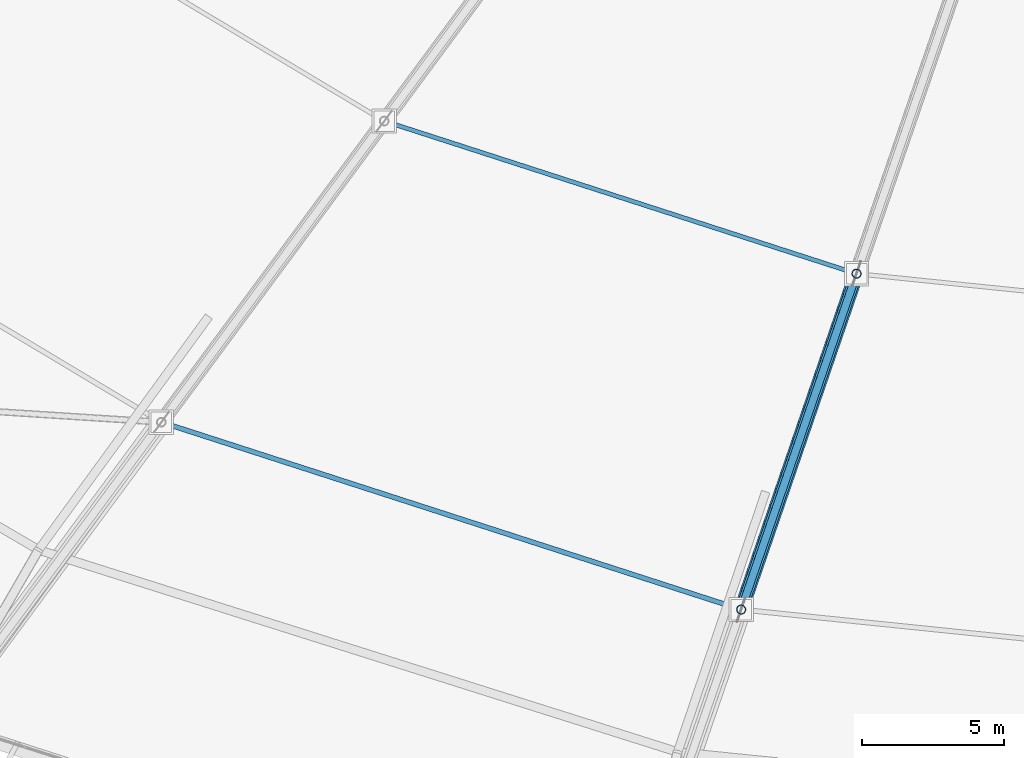
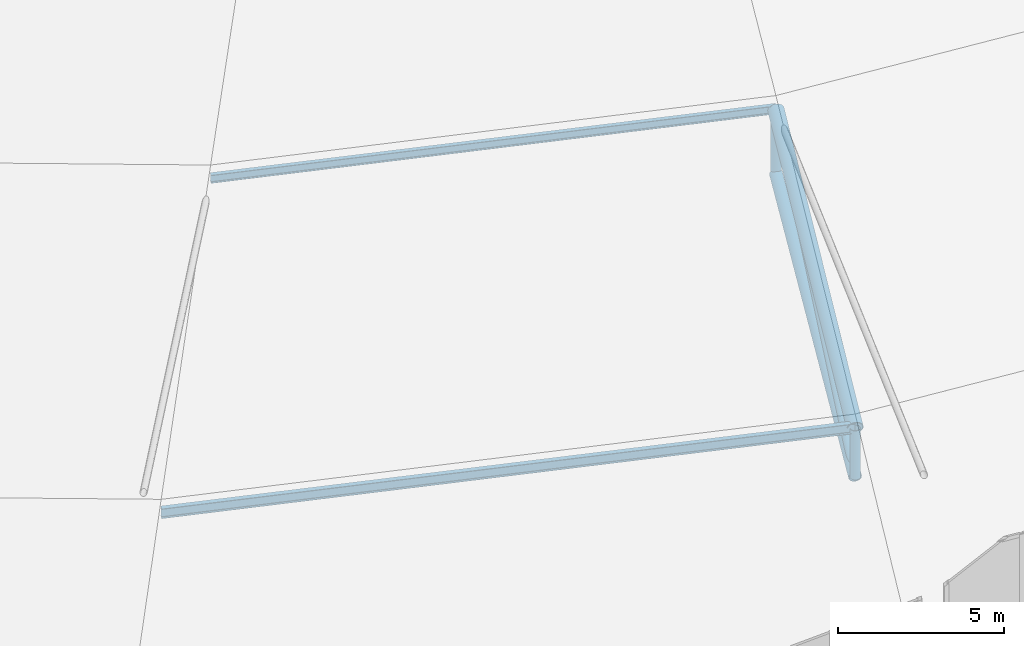
# One storey, part 15 of 115: 7 members.
"""IFC4 building model written with IfcOpenShell, lengths in metres."""

from ifc_helpers import new_model, si_unit, direction, frame, origin, origin_2d, place, context, subcontext, project, spatial, hollow_circle, i_section, extrude, material, material_profile, profile_set, type_object, element, save


model = new_model("IFC4")

# Units and contexts
model_context = context("Model", 3, precision=1e-05, world=origin(), true_north=direction((0.0, 1.0)))
body_context = subcontext(model_context, "Body", "Model", "MODEL_VIEW")
ifc_project = project(units=[si_unit("LENGTHUNIT", "METRE"), si_unit("AREAUNIT", "SQUARE_METRE"), si_unit("VOLUMEUNIT", "CUBIC_METRE"), si_unit("PLANEANGLEUNIT", "RADIAN"), si_unit("MASSUNIT", "GRAM", prefix="KILO")], contexts=[model_context])

# Site, building, storey
site_placement = place(None, origin())
site = spatial("IfcSite", under=ifc_project, at=site_placement, CompositionType="ELEMENT")
building_placement = place(site_placement, origin())
building = spatial("IfcBuilding", under=site, at=building_placement, Name="Zlatoyarsky Gate Stadium", CompositionType="ELEMENT")
storey_placement = place(building_placement, frame((0.0, 0.0, 31.800048828125)))
storey = spatial("IfcBuildingStorey", under=building, at=storey_placement, Name="RF", CompositionType="ELEMENT", Elevation=31.800048828125)

# Members
ifc_material = material(Name="Steel S355", Category="steel")
ifc_material_profile_1 = material_profile(ifc_material, hollow_circle(Radius=0.203125, WallThickness=0.02001953125, at=origin_2d()), Name="CHS 406.4X20")
ifc_profile_set_1 = profile_set([ifc_material_profile_1], Name="Steel S355")
member_type_1 = type_object("IfcMemberType", Name="STEEL ARCH INNER CHORD CHS 406.4X20", PredefinedType="CHORD", material=ifc_profile_set_1)
member_1_placement = place(storey_placement, frame((89.159912109375, 16.418701171875, 1.349853515625), z_axis=(0.318018478385, 0.925829737225, 0.204214458535), x_axis=(-0.945760529687, 0.324864618704, 0.0)))
element("IfcMember", 1, at=member_1_placement, inside=storey, type_object=member_type_1, Name="Radial truss R18 bottom chord 2", PredefinedType="CHORD", context=body_context, shape_type="SweptSolid", body=[
    extrude(hollow_circle(Radius=0.203125, WallThickness=0.02001953125, at=origin_2d()), origin(), (0.0, 0.0, 1.0), 12.732177734375),
])
ifc_material_profile_2 = material_profile(ifc_material, hollow_circle(Radius=0.25390625, WallThickness=0.02490234375, at=origin_2d()), Name="CHS 508X25")
ifc_profile_set_2 = profile_set([ifc_material_profile_2], Name="Steel S355")
member_type_2 = type_object("IfcMemberType", Name="STEEL ARCH TOP CHORD CHS 508X25", PredefinedType="CHORD", material=ifc_profile_set_2)
member_2_placement = place(storey_placement, frame((89.159912109375, 16.418701171875, 3.14990234375), z_axis=(0.314960710507, 0.916927825469, 0.245036963984), x_axis=(-0.945760529687, 0.324864618704, 0.0)))
element("IfcMember", 2, at=member_2_placement, inside=storey, type_object=member_type_2, Name="Radial truss R18 top chord 2", PredefinedType="CHORD", context=body_context, shape_type="SweptSolid", body=[
    extrude(hollow_circle(Radius=0.25390625, WallThickness=0.02490234375, at=origin_2d()), origin(), (0.0, 0.0, 1.0), 12.855712890625),
])
ifc_material_profile_3 = material_profile(ifc_material, i_section(OverallWidth=0.14990234375, OverallDepth=0.300048828125, WebThickness=0.007080078125, FlangeThickness=0.0107421875, FilletRadius=0.014892578125, at=origin_2d()), Name="IPE 300")
ifc_profile_set_3 = profile_set([ifc_material_profile_3], Name="Steel S355")
member_type_3 = type_object("IfcMemberType", Name="STEEL BOWL ROOF PURLIN IPE 300", PredefinedType="PURLIN", material=ifc_profile_set_3)
member_3_placement = place(storey_placement, frame((76.630615234375, 33.563232421875, 6.329833984375), z_axis=(0.951560451481, -0.307461716603, 0.0), x_axis=(0.307461716603, 0.951560451481, 0.0)))
element("IfcMember", 3, at=member_3_placement, inside=storey, type_object=member_type_3, Name="Stadium roof purlin 16.2", PredefinedType="PURLIN", context=body_context, shape_type="SweptSolid", body=[
    extrude(i_section(OverallWidth=0.14990234375, OverallDepth=0.300048828125, WebThickness=0.007080078125, FlangeThickness=0.0107421875, FilletRadius=0.014892578125, at=origin_2d()), origin(), (0.0, 0.0, 1.0), 17.42236328125),
])
ifc_material_profile_4 = material_profile(ifc_material, i_section(OverallWidth=0.169921875, OverallDepth=0.360107421875, WebThickness=0.008056640625, FlangeThickness=0.0126953125, FilletRadius=0.01806640625, at=origin_2d()), Name="IPE 360")
ifc_profile_set_4 = profile_set([ifc_material_profile_4], Name="Steel S355")
member_type_4 = type_object("IfcMemberType", Name="STEEL LONG SPAN PURLIN IPE 360", PredefinedType="PURLIN", material=ifc_profile_set_4)
member_4_placement = place(storey_placement, frame((68.808349609375, 22.99462890625, 3.179931640625), z_axis=(0.951559496613, -0.3074646718, 0.0), x_axis=(0.3074646718, 0.951559496613, 0.0)))
element("IfcMember", 4, at=member_4_placement, inside=storey, type_object=member_type_4, Name="Stadium roof purlin 16.1", PredefinedType="PURLIN", context=body_context, shape_type="SweptSolid", body=[
    extrude(i_section(OverallWidth=0.169921875, OverallDepth=0.360107421875, WebThickness=0.008056640625, FlangeThickness=0.0126953125, FilletRadius=0.01806640625, at=origin_2d()), origin(), (0.0, 0.0, 1.0), 21.3876953125),
])
ifc_material_profile_5 = material_profile(ifc_material, hollow_circle(Radius=0.136474609375, WallThickness=0.01611328125, at=origin_2d()), Name="CHS 273X16")
ifc_profile_set_5 = profile_set([ifc_material_profile_5], Name="Steel S355")
member_type_5 = type_object("IfcMemberType", Name="STEEL ROOF TRUSS DIAGONAL CHS 273X16", PredefinedType="BRACE", material=ifc_profile_set_5)
member_5_placement = place(storey_placement, frame((89.159912109375, 16.418701171875, 1.349853515625), z_axis=(0.301923645415, 0.878973733589, 0.36911690289), x_axis=(-0.945760529687, 0.324864618704, 0.0)))
element("IfcMember", 5, at=member_5_placement, inside=storey, type_object=member_type_5, Name="Radial truss R18 web diagonal 2", PredefinedType="BRACE", context=body_context, shape_type="SweptSolid", body=[
    extrude(hollow_circle(Radius=0.136474609375, WallThickness=0.01611328125, at=origin_2d()), origin(), (0.0, 0.0, 1.0), 13.410888671875),
])
ifc_material_profile_6 = material_profile(ifc_material, hollow_circle(Radius=0.161865234375, WallThickness=0.01611328125, at=origin_2d()), Name="CHS 323.9X16")
ifc_profile_set_6 = profile_set([ifc_material_profile_6], Name="Steel S355")
member_type_6 = type_object("IfcMemberType", Name="STEEL TRUSS WEB STRUT CHS 323.9X16", PredefinedType="STRUT", material=ifc_profile_set_6)
member_6_placement = place(storey_placement, frame((89.159912109375, 16.418701171875, 1.349853515625), z_axis=(0.0, 0.0, 1.0), x_axis=(1.0, 0.0, 0.0)))
element("IfcMember", 6, at=member_6_placement, inside=storey, type_object=member_type_6, Name="Radial truss R18 web strut 1", PredefinedType="STRUT", context=body_context, shape_type="SweptSolid", body=[
    extrude(hollow_circle(Radius=0.161865234375, WallThickness=0.01611328125, at=origin_2d()), origin(), (0.0, 0.0, 1.0), 1.800048828125),
])
member_7_placement = place(storey_placement, frame((93.208984375, 28.20654296875, 3.949951171875), z_axis=(0.0, 0.0, 1.0), x_axis=(1.0, 0.0, 0.0)))
element("IfcMember", 7, at=member_7_placement, inside=storey, type_object=member_type_6, Name="Radial truss R18 web strut 2", PredefinedType="STRUT", context=body_context, shape_type="SweptSolid", body=[
    extrude(hollow_circle(Radius=0.161865234375, WallThickness=0.01611328125, at=origin_2d()), origin(), (0.0, 0.0, 1.0), 2.35009765625),
])

save(model, "model.ifc")
